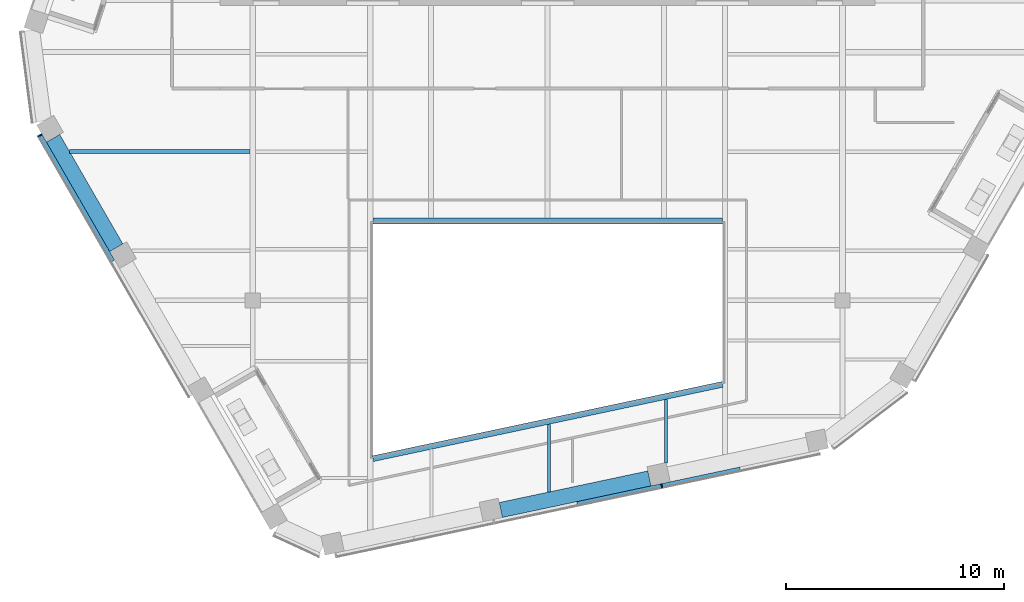
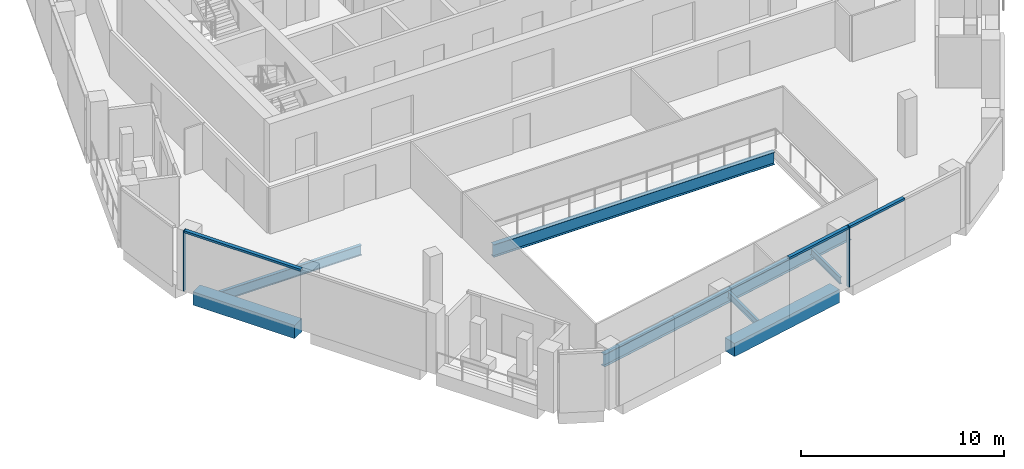
# One storey, part 3 of 20: 7 beams, 5 members, 2 elements without a shape of their own.
"""IFC4 building model written with IfcOpenShell, lengths in metres."""

from ifc_helpers import new_model, si_unit, direction, frame, origin, origin_2d, place, context, subcontext, project, spatial, rectangle, i_section, extrude, material, layer, layer_set, material_profile, profile_set, type_object, element, aggregate, save


model = new_model("IFC4")

# Units and contexts
model_context = context("Model", 3, precision=1e-05, world=origin(), true_north=direction((0.0, 1.0)))
body_context = subcontext(model_context, "Body", "Model", "MODEL_VIEW")
ifc_project = project(units=[si_unit("LENGTHUNIT", "METRE"), si_unit("AREAUNIT", "SQUARE_METRE"), si_unit("VOLUMEUNIT", "CUBIC_METRE"), si_unit("PLANEANGLEUNIT", "RADIAN"), si_unit("MASSUNIT", "GRAM", prefix="KILO")], contexts=[model_context])

# Site, building, storey
site_placement = place(None, origin())
site = spatial("IfcSite", under=ifc_project, at=site_placement, CompositionType="ELEMENT")
building_placement = place(site_placement, origin())
building = spatial("IfcBuilding", under=site, at=building_placement, Name="Isthmus Gate Tower", CompositionType="ELEMENT")
storey_placement = place(building_placement, frame((0.0, 0.0, 279.199951171875)))
storey = spatial("IfcBuildingStorey", under=building, at=storey_placement, Name="L71", CompositionType="ELEMENT", Elevation=279.199951171875)

# Curtain wall, member
ifc_material_1 = material(Name="Aluminium, pale champagne anodised", Category="aluminium")
ifc_layer = layer(ifc_material_1, 0.199951171875)
ifc_layer_set = layer_set([ifc_layer], Name="CW-1 UNITISED CURTAIN WALL 200 DEEP")
curtain_wall_type = type_object("IfcCurtainWallType", Name="CW-1 UNITISED CURTAIN WALL 200 DEEP", PredefinedType="NOTDEFINED", material=ifc_layer_set)
curtain_wall_1_placement = place(storey_placement, origin())
curtain_wall_1 = element("IfcCurtainWall", 1, at=curtain_wall_1_placement, inside=storey, type_object=curtain_wall_type, Name="CW-1 SW L71", PredefinedType="NOTDEFINED")
ifc_material_2 = material(Name="Aluminium, pale champagne anodised", Category="aluminium")
ifc_material_profile_1 = material_profile(ifc_material_2, rectangle(XDim=0.06005859375, YDim=0.199951171875, at=origin_2d()), Name="60x200")
ifc_profile_set_1 = profile_set([ifc_material_profile_1], Name="Aluminium, pale champagne anodised")
member_type_1 = type_object("IfcMemberType", Name="CW-1 MULLION 60 X 200", PredefinedType="MULLION", material=ifc_profile_set_1)
member_1_placement = place(storey_placement, frame((-23.244873046875, -5.938720703125, 0.0), z_axis=(0.0, 0.0, 1.0), x_axis=(0.5, -0.866025403784, 0.0)))
member_1 = element("IfcMember", 2, at=member_1_placement, type_object=member_type_1, Name="CW-1 mullion", PredefinedType="MULLION", context=body_context, shape_type="SweptSolid", body=[
    extrude(rectangle(XDim=0.06005859375, YDim=0.199951171875, at=origin_2d()), origin(), (0.0, 0.0, 1.0), 3.650146484375),
])

curtain_wall_2_placement = place(storey_placement, origin())
curtain_wall_2 = element("IfcCurtainWall", 3, at=curtain_wall_2_placement, inside=storey, type_object=curtain_wall_type, Name="CW-1 S L71", PredefinedType="NOTDEFINED")
member_2_placement = place(storey_placement, frame((5.222900390625, -21.991943359375, 0.0), z_axis=(0.0, 0.0, 1.0), x_axis=(0.978147600734, 0.207911690818, 0.0)))
member_2 = element("IfcMember", 4, at=member_2_placement, type_object=member_type_1, Name="CW-1 mullion", PredefinedType="MULLION", context=body_context, shape_type="SweptSolid", body=[
    extrude(rectangle(XDim=0.06005859375, YDim=0.199951171875, at=origin_2d()), origin(), (0.0, 0.0, 1.0), 3.650146484375),
])

# Member
ifc_material_3 = material(Name="Aluminium, pale champagne anodised", Category="aluminium")
ifc_material_profile_2 = material_profile(ifc_material_3, rectangle(XDim=0.199951171875, YDim=0.1298828125, at=origin_2d()), Name="200x130")
ifc_profile_set_2 = profile_set([ifc_material_profile_2], Name="Aluminium, pale champagne anodised")
member_type_2 = type_object("IfcMemberType", Name="CW-1 TRANSOM 200 X 130", PredefinedType="USERDEFINED", material=ifc_profile_set_2)
member_3_placement = place(storey_placement, frame((-23.22998046875, -5.964599609375, 3.5849609375), z_axis=(0.49999574405, -0.866027860944, 0.0), x_axis=(0.866027860944, 0.49999574405, 0.0)))
member_3 = element("IfcMember", 5, at=member_3_placement, type_object=member_type_2, Name="CW-1 transom", ObjectType="TRANSOM", PredefinedType="USERDEFINED", context=body_context, shape_type="SweptSolid", body=[
    extrude(rectangle(XDim=0.199951171875, YDim=0.1298828125, at=origin_2d()), origin(), (0.0, 0.0, 1.0), 6.62451171875),
])

aggregate(curtain_wall_1, [member_1, member_3])

member_4_placement = place(storey_placement, frame((1.35107421875, -22.81494140625, 3.5849609375), z_axis=(0.978153006411, 0.207886257478, 0.0), x_axis=(-0.207886257478, 0.978153006411, 0.0)))
member_4 = element("IfcMember", 6, at=member_4_placement, type_object=member_type_2, Name="CW-1 transom", ObjectType="TRANSOM", PredefinedType="USERDEFINED", context=body_context, shape_type="SweptSolid", body=[
    extrude(rectangle(XDim=0.199951171875, YDim=0.1298828125, at=origin_2d()), origin(), (0.0, 0.0, 1.0), 3.928466796875),
])

member_5_placement = place(storey_placement, frame((5.25244140625, -21.98583984375, 3.5849609375), z_axis=(0.978143350472, 0.207931685724, 0.0), x_axis=(-0.207931685724, 0.978143350472, 0.0)))
member_5 = element("IfcMember", 7, at=member_5_placement, type_object=member_type_2, Name="CW-1 transom", ObjectType="TRANSOM", PredefinedType="USERDEFINED", context=body_context, shape_type="SweptSolid", body=[
    extrude(rectangle(XDim=0.199951171875, YDim=0.1298828125, at=origin_2d()), origin(), (0.0, 0.0, 1.0), 3.643310546875),
])

aggregate(curtain_wall_2, [member_4, member_2, member_5])

# Beams
ifc_material_4 = material(Name="Concrete f'c 50 MPa", Category="concrete")
ifc_material_profile_3 = material_profile(ifc_material_4, rectangle(XDim=0.699951171875, YDim=0.800048828125, at=origin_2d()), Name="RC 700X800")
ifc_profile_set_3 = profile_set([ifc_material_profile_3], Name="Concrete f'c 50 MPa")
beam_type_1 = type_object("IfcBeamType", Name="RC SPANDREL 700 X 800", PredefinedType="SPANDREL", material=ifc_profile_set_3)
beam_1_placement = place(storey_placement, frame((4.659912109375, -21.651611328125, -0.39990234375), z_axis=(-0.978143150477, -0.207932626528, 0.0), x_axis=(0.207932626528, -0.978143150477, 0.0)))
element("IfcBeam", 8, at=beam_1_placement, inside=storey, type_object=beam_type_1, Name="str-spandrel-L71-10", PredefinedType="SPANDREL", context=body_context, shape_type="SweptSolid", body=[
    extrude(rectangle(XDim=0.699951171875, YDim=0.800048828125, at=origin_2d()), origin(), (0.0, 0.0, 1.0), 6.956787109375),
])
beam_2_placement = place(storey_placement, frame((-19.7529296875, -11.0869140625, -0.39990234375), z_axis=(-0.500011073467, 0.866019010421, 0.0), x_axis=(-0.866019010421, -0.500011073467, 0.0)))
element("IfcBeam", 9, at=beam_2_placement, inside=storey, type_object=beam_type_1, Name="str-spandrel-L71-15", PredefinedType="SPANDREL", context=body_context, shape_type="SweptSolid", body=[
    extrude(rectangle(XDim=0.699951171875, YDim=0.800048828125, at=origin_2d()), origin(), (0.0, 0.0, 1.0), 5.784423828125),
])
ifc_material_5 = material(Name="Structural steel ASTM A992 Gr 50", Category="steel")
ifc_material_profile_4 = material_profile(ifc_material_5, i_section(OverallWidth=0.1396484375, OverallDepth=0.4033203125, WebThickness=0.00634765625, FlangeThickness=0.010986328125, at=origin_2d()), Name="W16X31")
ifc_profile_set_4 = profile_set([ifc_material_profile_4], Name="Structural steel ASTM A992 Gr 50")
beam_type_2 = type_object("IfcBeamType", Name="STEEL FLOOR BEAM W16X31", PredefinedType="JOIST", material=ifc_profile_set_4)
beam_3_placement = place(storey_placement, frame((0.05712890625, -22.272216796875, -0.3515625), z_axis=(0.0, 1.0, 0.0), x_axis=(-1.0, 0.0, 0.0)))
element("IfcBeam", 10, at=beam_3_placement, inside=storey, type_object=beam_type_2, Name="str-beam-L71-09-01", PredefinedType="JOIST", context=body_context, shape_type="SweptSolid", body=[
    extrude(i_section(OverallWidth=0.1396484375, OverallDepth=0.4033203125, WebThickness=0.00634765625, FlangeThickness=0.010986328125, at=origin_2d()), origin(), (0.0, 0.0, 1.0), 3.10107421875),
])
beam_4_placement = place(storey_placement, frame((5.428466796875, -20.939208984375, -0.3515625), z_axis=(0.0, 1.0, 0.0), x_axis=(-1.0, 0.0, 0.0)))
element("IfcBeam", 11, at=beam_4_placement, inside=storey, type_object=beam_type_2, Name="str-beam-L71-09-02", PredefinedType="JOIST", context=body_context, shape_type="SweptSolid", body=[
    extrude(i_section(OverallWidth=0.1396484375, OverallDepth=0.4033203125, WebThickness=0.00634765625, FlangeThickness=0.010986328125, at=origin_2d()), origin(), (0.0, 0.0, 1.0), 2.909912109375),
])
ifc_material_6 = material(Name="Structural steel ASTM A992 Gr 50", Category="steel")
ifc_material_profile_5 = material_profile(ifc_material_6, i_section(OverallWidth=0.177734375, OverallDepth=0.60009765625, WebThickness=0.009521484375, FlangeThickness=0.0126953125, at=origin_2d()), Name="W24X55")
ifc_profile_set_5 = profile_set([ifc_material_profile_5], Name="Structural steel ASTM A992 Gr 50")
beam_type_3 = type_object("IfcBeamType", Name="STEEL FLOOR BEAM W24X55", PredefinedType="JOIST", material=ifc_profile_set_5)
beam_5_placement = place(storey_placement, frame((-21.89453125, -6.677490234375, -0.449951171875), z_axis=(1.0, 0.0, 0.0), x_axis=(0.0, 1.0, 0.0)))
element("IfcBeam", 12, at=beam_5_placement, inside=storey, type_object=beam_type_3, Name="str-beam-L71-01-01", PredefinedType="JOIST", context=body_context, shape_type="SweptSolid", body=[
    extrude(i_section(OverallWidth=0.177734375, OverallDepth=0.60009765625, WebThickness=0.009521484375, FlangeThickness=0.0126953125, at=origin_2d()), origin(), (0.0, 0.0, 1.0), 8.2626953125),
])
ifc_material_7 = material(Name="Structural steel ASTM A992 Gr 50", Category="steel")
ifc_material_profile_6 = material_profile(ifc_material_7, i_section(OverallWidth=0.2666015625, OverallDepth=0.7587890625, WebThickness=0.014404296875, FlangeThickness=0.01904296875, at=origin_2d()), Name="W30X108")
ifc_profile_set_6 = profile_set([ifc_material_profile_6], Name="Structural steel ASTM A992 Gr 50")
beam_type_4 = type_object("IfcBeamType", Name="STEEL TRIMMER W30X108", PredefinedType="BEAM", material=ifc_profile_set_6)
beam_6_placement = place(storey_placement, frame((-8.0, -20.747314453125, -0.529296875), z_axis=(0.978147924985, 0.20791016533, 0.0), x_axis=(-0.20791016533, 0.978147924985, 0.0)))
element("IfcBeam", 13, at=beam_6_placement, inside=storey, type_object=beam_type_4, Name="str-trimmer-L71-03", PredefinedType="BEAM", context=body_context, shape_type="SweptSolid", body=[
    extrude(i_section(OverallWidth=0.2666015625, OverallDepth=0.7587890625, WebThickness=0.014404296875, FlangeThickness=0.01904296875, at=origin_2d()), origin(), (0.0, 0.0, 1.0), 16.357421875),
])
beam_7_placement = place(storey_placement, frame((8.0, -9.86669921875, -0.529296875), z_axis=(-1.0, 0.0, 0.0), x_axis=(0.0, -1.0, 0.0)))
element("IfcBeam", 14, at=beam_7_placement, inside=storey, type_object=beam_type_4, Name="str-trimmer-L71-04", PredefinedType="BEAM", context=body_context, shape_type="SweptSolid", body=[
    extrude(i_section(OverallWidth=0.2666015625, OverallDepth=0.7587890625, WebThickness=0.014404296875, FlangeThickness=0.01904296875, at=origin_2d()), origin(), (0.0, 0.0, 1.0), 16.0),
])

save(model, "model.ifc")
